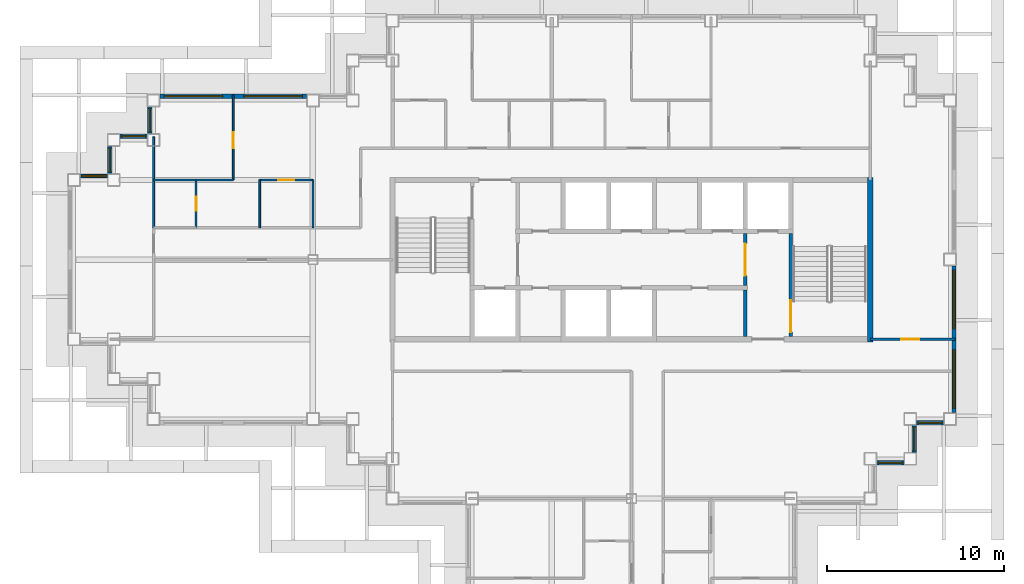
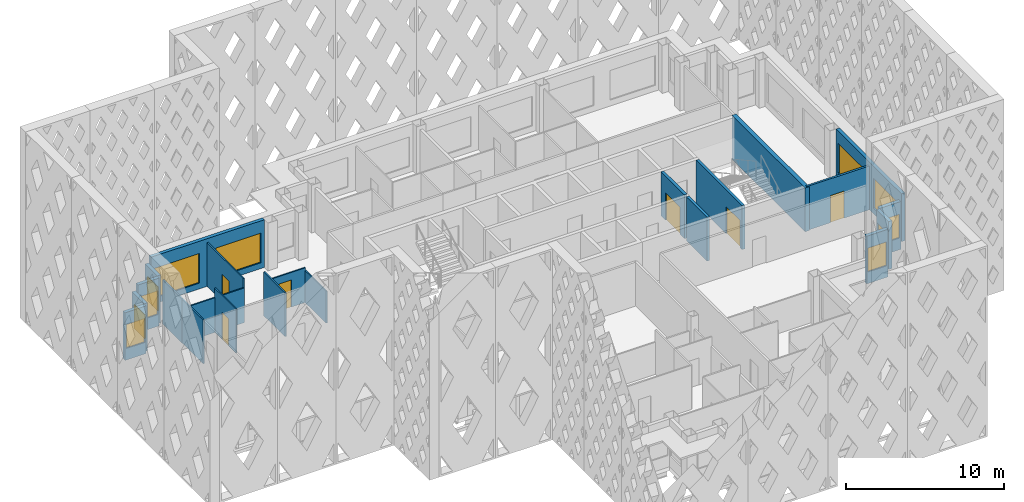
# One storey, part 5 of 16: 23 walls, 11 windows, 6 doors, 17 openings.
"""IFC4 building model written with IfcOpenShell, lengths in metres."""

import ifcopenshell
import ifcopenshell.guid

model = None  # the IFC model being written
_history = None  # IfcOwnerHistory: only IFC2X3 demands one
_inside = {}  # id of a spatial element -> (the spatial element, [elements in it])
_under = {}  # id of a project, library or spatial element -> (it, [spatial elements below it])
_declared = {}  # id of a project -> (the project, [libraries it declares])
_typed = {}  # id of a type object -> (the type object, [elements of that type])
_made_of = {}  # id of a material, layer set ... -> (it, [elements and type objects made of it])


def new_model(schema):
    """Start an empty IFC model of exactly this schema.

    Asked for "IFC4X3", IfcOpenShell would pick the latest addendum, in which some entities
    have other attributes; the version numbers below select the first issue.
    IFC2X3 requires an IfcOwnerHistory on every rooted entity: one is made here for all.
    """
    global model, _history
    if schema == "IFC4X3":
        model = ifcopenshell.file(schema_version=(4, 3, 0, 0))
    else:
        model = ifcopenshell.file(schema=schema)
    _inside.clear()
    _under.clear()
    _declared.clear()
    _typed.clear()
    _made_of.clear()
    _history = None
    if model.schema == "IFC2X3":
        org = make("IfcOrganization", Name="unknown")
        user = make(
            "IfcPersonAndOrganization",
            ThePerson=make("IfcPerson", FamilyName="unknown"),
            TheOrganization=org,
        )
        app = make(
            "IfcApplication",
            ApplicationDeveloper=org,
            Version="unknown",
            ApplicationFullName="unknown",
            ApplicationIdentifier="unknown",
        )
        _history = make(
            "IfcOwnerHistory",
            OwningUser=user,
            OwningApplication=app,
            ChangeAction="ADDED",
            CreationDate=0,
        )
    return model


def make(cls, **values):
    """One entity of the class cls with the attributes given. An attribute that is None is left unset."""
    return model.create_entity(
        cls, **{name: value for name, value in values.items() if value is not None}
    )


def rooted(cls, **values):
    """An entity with a GlobalId (a new one), such as an element, a storey or a relation."""
    return make(cls, GlobalId=ifcopenshell.guid.new(), OwnerHistory=_history, **values)


def si_unit(unit_type, name, prefix=None):
    """IfcSIUnit, for example si_unit("LENGTHUNIT", "METRE", prefix="MILLI")."""
    return make("IfcSIUnit", UnitType=unit_type, Prefix=prefix, Name=name)


def assignment(units):
    """IfcUnitAssignment: the units of a project."""
    return None if units is None else make("IfcUnitAssignment", Units=units)


def point(xyz):
    """IfcCartesianPoint."""
    return None if xyz is None else make("IfcCartesianPoint", Coordinates=xyz)


def direction(xyz):
    """IfcDirection."""
    return None if xyz is None else make("IfcDirection", DirectionRatios=xyz)


def frame(location, z_axis=None, x_axis=None):
    """IfcAxis2Placement3D, a coordinate frame: its origin and axes. An axis left out is left unset."""
    return make(
        "IfcAxis2Placement3D",
        Location=point(location),
        Axis=direction(z_axis),
        RefDirection=direction(x_axis),
    )


def frame_2d(location, x_axis=None):
    """IfcAxis2Placement2D, a coordinate frame in the plane: its origin and x axis."""
    return make(
        "IfcAxis2Placement2D", Location=point(location), RefDirection=direction(x_axis)
    )


def origin():
    """The frame at (0, 0, 0) with its axes left unset."""
    return frame((0.0, 0.0, 0.0))


def place(relative_to, where):
    """IfcLocalPlacement: puts the frame where relative to a parent placement (None: the world)."""
    return make(
        "IfcLocalPlacement", PlacementRelTo=relative_to, RelativePlacement=where
    )


def context(
    kind, dimensions, precision=None, world=None, true_north=None, identifier=None
):
    """IfcGeometricRepresentationContext, for example the 3D "Model" context."""
    return make(
        "IfcGeometricRepresentationContext",
        ContextIdentifier=identifier,
        ContextType=kind,
        CoordinateSpaceDimension=dimensions,
        Precision=precision,
        WorldCoordinateSystem=world,
        TrueNorth=true_north,
    )


def subcontext(parent, identifier, kind, view, scale=None):
    """IfcGeometricRepresentationSubContext, for example "Body" below "Model"."""
    return make(
        "IfcGeometricRepresentationSubContext",
        ContextIdentifier=identifier,
        ContextType=kind,
        ParentContext=parent,
        TargetScale=scale,
        TargetView=view,
    )


def project(units=None, contexts=None):
    """IfcProject with its units and contexts."""
    return rooted(
        "IfcProject",
        Name="project",
        RepresentationContexts=contexts,
        UnitsInContext=assignment(units),
    )


def spatial(cls, under=None, at=None, **own):
    """A site, building, storey or space (cls), placed at a placement, below another one or the project."""
    s = rooted(cls, ObjectPlacement=at, **own)
    if under is not None:
        _under.setdefault(under.id(), (under, []))[1].append(s)
    return s


def profile(cls, at=None, kind="AREA", **sizes):
    """A parametric profile (cls). Its sizes go by their IFC names, for example OverallWidth=200.0."""
    return make(cls, ProfileType=kind, Position=at, **sizes)


def rectangle(**sizes):
    """IfcRectangleProfileDef."""
    return profile("IfcRectangleProfileDef", **sizes)


def extrude(swept, where, along, depth):
    """IfcExtrudedAreaSolid: the profile swept, set in the frame where, extruded along a direction by depth."""
    return make(
        "IfcExtrudedAreaSolid",
        SweptArea=swept,
        Position=where,
        ExtrudedDirection=direction(along),
        Depth=depth,
    )


def shape(context_of_items, identifier, shape_type, items):
    """IfcShapeRepresentation: the items that make up one representation, for example the "Body"."""
    return make(
        "IfcShapeRepresentation",
        ContextOfItems=context_of_items,
        RepresentationIdentifier=identifier,
        RepresentationType=shape_type,
        Items=items,
    )


def material(Name=None, Category=None):
    """IfcMaterial."""
    return make("IfcMaterial", Name=Name, Category=Category)


def layer(
    of_material, thickness, ventilated=None, Name=None, Category=None, Priority=None
):
    """IfcMaterialLayer: one layer of a wall or slab, of a material (None: an air gap)."""
    return make(
        "IfcMaterialLayer",
        Material=of_material,
        LayerThickness=thickness,
        IsVentilated=ventilated,
        Name=Name,
        Category=Category,
        Priority=Priority,
    )


def layer_set(layers, Name=None):
    """IfcMaterialLayerSet."""
    return make("IfcMaterialLayerSet", MaterialLayers=layers, LayerSetName=Name)


def made_of(thing, what):
    """Note that an element or type object is made of a material, layer set ...; save() writes the relation."""
    if what is not None:
        _made_of.setdefault(what.id(), (what, []))[1].append(thing)
    return thing


def type_object(cls, material=None, **own):
    """A type object (cls), such as IfcWallType, which elements share."""
    return made_of(rooted(cls, **own), material)


def element(
    cls,
    number,
    at=None,
    inside=None,
    cuts=None,
    type_object=None,
    material=None,
    context=None,
    identifier="Body",
    shape_type=None,
    held_by="IfcProductDefinitionShape",
    body=None,
    shapes=None,
    **own,
):
    """One element of the class cls, such as IfcWall. Its Tag is "e" and its number.

    at: its placement. inside: the storey or other place that contains it. cuts: it is an
    opening in that element (IfcRelVoidsElement). A single representation is given by context,
    identifier, shape_type and body (its items); several are given by shapes. held_by: the class
    of the entity that holds the representations. save() writes the other relations.
    """
    e = rooted(cls, Tag="e%d" % number, ObjectPlacement=at, **own)
    if body is not None:
        shapes = [shape(context, identifier, shape_type, body)]
    if shapes is not None:
        e.Representation = make(held_by, Representations=shapes)
    if inside is not None:
        _inside.setdefault(inside.id(), (inside, []))[1].append(e)
    if cuts is not None:
        rooted(
            "IfcRelVoidsElement", RelatingBuildingElement=cuts, RelatedOpeningElement=e
        )
    if type_object is not None:
        _typed.setdefault(type_object.id(), (type_object, []))[1].append(e)
    return made_of(e, material)


def fill(opening, filler):
    """IfcRelFillsElement: the door or window that sits in an opening."""
    return rooted(
        "IfcRelFillsElement",
        RelatingOpeningElement=opening,
        RelatedBuildingElement=filler,
    )


def aggregate(whole, parts):
    """IfcRelAggregates: a whole, such as a stair, and the parts it consists of."""
    return rooted("IfcRelAggregates", RelatingObject=whole, RelatedObjects=parts)


def save(model, path):
    """Write the relations noted so far, then the file.

    IfcRelAggregates (storeys below a building ...), IfcRelContainedInSpatialStructure (elements
    in a storey), IfcRelDefinesByType, IfcRelAssociatesMaterial and IfcRelDeclares: one each for
    every whole, place, type object, material and project.
    """
    for whole, parts in _under.values():
        aggregate(whole, parts)
    for where, things in _inside.values():
        rooted(
            "IfcRelContainedInSpatialStructure",
            RelatedElements=things,
            RelatingStructure=where,
        )
    for kind, things in _typed.values():
        rooted("IfcRelDefinesByType", RelatedObjects=things, RelatingType=kind)
    for what, things in _made_of.values():
        rooted("IfcRelAssociatesMaterial", RelatedObjects=things, RelatingMaterial=what)
    for by, libraries in _declared.values():
        rooted("IfcRelDeclares", RelatingContext=by, RelatedDefinitions=libraries)
    model.write(path)


model = new_model("IFC4")

# Units and contexts
model_context = context("Model", 3, precision=1e-05, world=origin(), true_north=direction((0.0, 1.0)))
body_context = subcontext(model_context, "Body", "Model", "MODEL_VIEW")
ifc_project = project(units=[si_unit("LENGTHUNIT", "METRE"), si_unit("AREAUNIT", "SQUARE_METRE"), si_unit("VOLUMEUNIT", "CUBIC_METRE"), si_unit("PLANEANGLEUNIT", "RADIAN"), si_unit("MASSUNIT", "GRAM", prefix="KILO")], contexts=[model_context])

# Site, building, storey
site_placement = place(None, origin())
site = spatial("IfcSite", under=ifc_project, at=site_placement, CompositionType="ELEMENT")
building_placement = place(site_placement, origin())
building = spatial("IfcBuilding", under=site, at=building_placement, Name="Caravel Reach Hotel and Residences", CompositionType="ELEMENT")
storey_placement = place(building_placement, frame((0.0, 0.0, 207.199951171875)))
storey = spatial("IfcBuildingStorey", under=building, at=storey_placement, Name="L52", CompositionType="ELEMENT", Elevation=207.199951171875)

# Walls
ifc_material_1 = material(Name="Gypsum board on steel stud", Category="steel")
ifc_layer_1 = layer(ifc_material_1, 0.10009765625)
ifc_layer_set_1 = layer_set([ifc_layer_1], Name="Bathroom pod wall 100 mm")
wall_type_1 = type_object("IfcWallType", Name="Bathroom pod wall 100 mm", PredefinedType="PARTITIONING", material=ifc_layer_set_1)
wall_1_placement = place(storey_placement, frame((4.5, 31.5, 0.0), z_axis=(0.0, 0.0, 1.0), x_axis=(1.0, 0.0, 0.0)))
element("IfcWall", 1, at=wall_1_placement, inside=storey, type_object=wall_type_1, Name="L52 wall w067", PredefinedType="PARTITIONING", context=body_context, shape_type="SweptSolid", body=[
    extrude(rectangle(XDim=2.39990234375, YDim=0.10009765625, at=frame_2d((1.199951171875, 0.0))), origin(), (0.0, 0.0, 1.0), 2.679931640625),
])
wall_2_placement = place(storey_placement, frame((4.5, 28.800048828125, 0.0), z_axis=(0.0, 0.0, 1.0), x_axis=(0.0, 1.0, 0.0)))
element("IfcWall", 2, at=wall_2_placement, inside=storey, type_object=wall_type_1, Name="L52 wall w082", PredefinedType="PARTITIONING", context=body_context, shape_type="SweptSolid", body=[
    extrude(rectangle(XDim=2.699951171875, YDim=0.10009765625, at=frame_2d((1.35009765625, 0.0))), origin(), (0.0, 0.0, 1.0), 3.400146484375),
])

# Wall, opening, door
wall_3_placement = place(storey_placement, frame((6.89990234375, 28.800048828125, 0.0), z_axis=(0.0, 0.0, 1.0), x_axis=(0.0, 1.0, 0.0)))
wall_3 = element("IfcWall", 3, at=wall_3_placement, inside=storey, type_object=wall_type_1, Name="L52 wall w083", PredefinedType="PARTITIONING", context=body_context, shape_type="SweptSolid", body=[
    extrude(rectangle(XDim=2.699951171875, YDim=0.10009765625, at=frame_2d((1.35009765625, 0.0))), origin(), (0.0, 0.0, 1.0), 3.400146484375),
])
opening_1_placement = place(wall_3_placement, frame((0.949951171875, 0.0, 0.0)))
opening_1 = element("IfcOpeningElement", 4, at=opening_1_placement, cuts=wall_3, Name="Opening D52-026", PredefinedType="OPENING", context=body_context, shape_type="SweptSolid", body=[
    extrude(rectangle(XDim=0.800048828125, YDim=2.10009765625, at=frame_2d((0.39990234375, 1.050048828125))), frame((0.0, 0.06005859375, 0.0), z_axis=(0.0, -1.0, 0.0), x_axis=(1.0, 0.0, 0.0)), (0.0, 0.0, 1.0), 0.1201171875),
])
ifc_material_2 = material(Name="Timber and steel door leaf", Category="steel")
door_type_1 = type_object("IfcDoorType", Name="Bathroom door 800 x 2100", OperationType="SINGLE_SWING_LEFT", PredefinedType="DOOR", material=ifc_material_2)
door_1_placement = place(opening_1_placement, origin())
door_1 = element("IfcDoor", 5, at=door_1_placement, inside=storey, type_object=door_type_1, Name="door D52-026", OperationType="SINGLE_SWING_RIGHT", OverallHeight=2.10009765625, OverallWidth=0.800048828125, PredefinedType="DOOR", context=body_context, shape_type="SweptSolid", body=[
    extrude(rectangle(XDim=0.800048828125, YDim=2.10009765625, at=frame_2d((0.39990234375, 1.050048828125))), frame((0.0, 0.02490234375, 0.0), z_axis=(0.0, -1.0, 0.0), x_axis=(1.0, 0.0, 0.0)), (0.0, 0.0, 1.0), 0.050048828125),
])
fill(opening_1, door_1)

# Walls
ifc_material_3 = material(Name="Autoclaved aerated block wall")
ifc_layer_2 = layer(ifc_material_3, 0.199951171875)
ifc_layer_set_2 = layer_set([ifc_layer_2], Name="Compartment wall 200 mm EI 120")
wall_type_2 = type_object("IfcWallType", Name="Compartment wall 200 mm EI 120", PredefinedType="PARTITIONING", material=ifc_layer_set_2)
wall_4_placement = place(storey_placement, frame((37.928466796875, 22.64990234375, 0.0), z_axis=(0.0, 0.0, 1.0), x_axis=(0.0, 1.0, 0.0)))
element("IfcWall", 6, at=wall_4_placement, inside=storey, type_object=wall_type_2, Name="L52 store partition", PredefinedType="PARTITIONING", context=body_context, shape_type="SweptSolid", body=[
    extrude(rectangle(XDim=2.625, YDim=0.199951171875, at=frame_2d((1.3125, 0.0))), origin(), (0.0, 0.0, 1.0), 3.400146484375),
])
ifc_material_4 = material(Name="Concrete C60", Category="concrete")
ifc_layer_3 = layer(ifc_material_4, 0.300048828125)
ifc_layer_set_3 = layer_set([ifc_layer_3], Name="Core wall 300 mm EI 120")
wall_type_3 = type_object("IfcWallType", Name="Core wall 300 mm EI 120", PredefinedType="SHEAR", material=ifc_layer_set_3)
wall_5_placement = place(storey_placement, frame((45.0, 22.35009765625, 0.0), z_axis=(0.0, 0.0, 1.0), x_axis=(0.0, 1.0, 0.0)))
element("IfcWall", 7, at=wall_5_placement, inside=storey, type_object=wall_type_3, Name="L52 core wall E", PredefinedType="SHEAR", context=body_context, shape_type="SweptSolid", body=[
    extrude(rectangle(XDim=9.2998046875, YDim=0.300048828125, at=frame_2d((4.64990234375, 0.0))), origin(), (0.0, 0.0, 1.0), 3.400146484375),
])

# Wall, opening, door
ifc_material_5 = material(Name="Gypsum board on steel stud, fire-rated", Category="steel")
ifc_layer_4 = layer(ifc_material_5, 0.14990234375)
ifc_layer_set_4 = layer_set([ifc_layer_4], Name="Corridor wall 150 mm EI 60")
wall_type_4 = type_object("IfcWallType", Name="Corridor wall 150 mm EI 60", PredefinedType="PARTITIONING", material=ifc_layer_set_4)
wall_6_placement = place(storey_placement, frame((45.0, 22.5, 0.0), z_axis=(0.0, 0.0, 1.0), x_axis=(1.0, 0.0, 0.0)))
wall_6 = element("IfcWall", 8, at=wall_6_placement, inside=storey, type_object=wall_type_4, Name="L52 wall w005", PredefinedType="PARTITIONING", context=body_context, shape_type="SweptSolid", body=[
    extrude(rectangle(XDim=4.7900390625, YDim=0.14990234375, at=frame_2d((2.39501953125, 0.0))), origin(), (0.0, 0.0, 1.0), 3.400146484375),
])
opening_2_placement = place(wall_6_placement, frame((1.75, 0.0, 0.0)))
opening_2 = element("IfcOpeningElement", 9, at=opening_2_placement, cuts=wall_6, Name="Opening D52-041", PredefinedType="OPENING", context=body_context, shape_type="SweptSolid", body=[
    extrude(rectangle(XDim=1.0, YDim=2.10009765625, at=frame_2d((0.5, 1.050048828125))), frame((0.0, 0.0849609375, 0.0), z_axis=(0.0, -1.0, 0.0), x_axis=(1.0, 0.0, 0.0)), (0.0, 0.0, 1.0), 0.169921875),
])
ifc_material_6 = material(Name="Steel fire door leaf", Category="steel")
door_type_2 = type_object("IfcDoorType", Name="Fire door 1000 x 2100 EI 60", OperationType="SINGLE_SWING_LEFT", PredefinedType="DOOR", material=ifc_material_6)
door_2_placement = place(opening_2_placement, origin())
door_2 = element("IfcDoor", 10, at=door_2_placement, inside=storey, type_object=door_type_2, Name="door D52-041", OperationType="SINGLE_SWING_LEFT", OverallHeight=2.10009765625, OverallWidth=1.0, PredefinedType="DOOR", context=body_context, shape_type="SweptSolid", body=[
    extrude(rectangle(XDim=1.0, YDim=2.10009765625, at=frame_2d((0.5, 1.050048828125))), frame((0.0, 0.02490234375, 0.0), z_axis=(0.0, -1.0, 0.0), x_axis=(1.0, 0.0, 0.0)), (0.0, 0.0, 1.0), 0.050048828125),
])
fill(opening_2, door_2)

# Wall, opening, window
ifc_material_7 = material(Name="Insulated rainscreen wall, aluminium cladding", Category="aluminium")
ifc_layer_5 = layer(ifc_material_7, 0.25)
ifc_layer_set_5 = layer_set([ifc_layer_5], Name="EW1 Tower rainscreen wall")
wall_type_5 = type_object("IfcWallType", Name="EW1 Tower rainscreen wall", PredefinedType="SOLIDWALL", material=ifc_layer_set_5)
wall_7_placement = place(storey_placement, frame((45.35009765625, 15.52490234375, 0.0), z_axis=(0.0, 0.0, 1.0), x_axis=(1.0, 0.0, 0.0)))
wall_7 = element("IfcWall", 11, at=wall_7_placement, inside=storey, type_object=wall_type_5, Name="External wall L52 S3.1", PredefinedType="SOLIDWALL", context=body_context, shape_type="SweptSolid", body=[
    extrude(rectangle(XDim=1.5498046875, YDim=0.25, at=frame_2d((0.77490234375, 0.0))), origin(), (0.0, 0.0, 1.0), 3.699951171875),
])
opening_3_placement = place(wall_7_placement, frame((0.10009765625, 0.0, 0.89990234375)))
opening_3 = element("IfcOpeningElement", 12, at=opening_3_placement, cuts=wall_7, Name="Opening WN21", PredefinedType="OPENING", context=body_context, shape_type="SweptSolid", body=[
    extrude(rectangle(XDim=1.35009765625, YDim=1.85009765625, at=frame_2d((0.675048828125, 0.925048828125))), frame((0.0, 0.135009765625, 0.0), z_axis=(0.0, -1.0, 0.0), x_axis=(1.0, 0.0, 0.0)), (0.0, 0.0, 1.0), 0.27001953125),
])
ifc_material_8 = material(Name="Dark low-e glazing in black aluminium frame", Category="aluminium")
window_type_1 = type_object("IfcWindowType", Name="Residence bedroom window 1350 x 1850", PartitioningType="SINGLE_PANEL", PredefinedType="WINDOW", material=ifc_material_8)
window_1_placement = place(opening_3_placement, origin())
window_1 = element("IfcWindow", 13, at=window_1_placement, inside=storey, type_object=window_type_1, Name="Window L52 S3.1.1", OverallHeight=1.85009765625, OverallWidth=1.35009765625, PartitioningType="SINGLE_PANEL", PredefinedType="WINDOW", context=body_context, shape_type="SweptSolid", body=[
    extrude(rectangle(XDim=1.35009765625, YDim=1.85009765625, at=frame_2d((0.675048828125, 0.925048828125))), frame((0.0, 0.030029296875, 0.0), z_axis=(0.0, -1.0, 0.0), x_axis=(1.0, 0.0, 0.0)), (0.0, 0.0, 1.0), 0.06005859375),
])
fill(opening_3, window_1)

wall_8_placement = place(storey_placement, frame((47.47509765625, 16.10009765625, 0.0), z_axis=(0.0, 0.0, 1.0), x_axis=(0.0, 1.0, 0.0)))
wall_8 = element("IfcWall", 14, at=wall_8_placement, inside=storey, type_object=wall_type_5, Name="External wall L52 E4.1", PredefinedType="SOLIDWALL", context=body_context, shape_type="SweptSolid", body=[
    extrude(rectangle(XDim=1.5498046875, YDim=0.25, at=frame_2d((0.77490234375, 0.0))), origin(), (0.0, 0.0, 1.0), 3.699951171875),
])
opening_4_placement = place(wall_8_placement, frame((0.10009765625, 0.0, 0.89990234375)))
opening_4 = element("IfcOpeningElement", 15, at=opening_4_placement, cuts=wall_8, Name="Opening WN21", PredefinedType="OPENING", context=body_context, shape_type="SweptSolid", body=[
    extrude(rectangle(XDim=1.35009765625, YDim=1.85009765625, at=frame_2d((0.675048828125, 0.925048828125))), frame((0.0, 0.135009765625, 0.0), z_axis=(0.0, -1.0, 0.0), x_axis=(1.0, 0.0, 0.0)), (0.0, 0.0, 1.0), 0.27001953125),
])
window_2_placement = place(opening_4_placement, origin())
window_2 = element("IfcWindow", 16, at=window_2_placement, inside=storey, type_object=window_type_1, Name="Window L52 E4.1.1", OverallHeight=1.85009765625, OverallWidth=1.35009765625, PartitioningType="SINGLE_PANEL", PredefinedType="WINDOW", context=body_context, shape_type="SweptSolid", body=[
    extrude(rectangle(XDim=1.35009765625, YDim=1.85009765625, at=frame_2d((0.675048828125, 0.925048828125))), frame((0.0, 0.030029296875, 0.0), z_axis=(0.0, -1.0, 0.0), x_axis=(1.0, 0.0, 0.0)), (0.0, 0.0, 1.0), 0.06005859375),
])
fill(opening_4, window_2)

wall_9_placement = place(storey_placement, frame((47.60009765625, 17.77490234375, 0.0), z_axis=(0.0, 0.0, 1.0), x_axis=(1.0, 0.0, 0.0)))
wall_9 = element("IfcWall", 17, at=wall_9_placement, inside=storey, type_object=wall_type_5, Name="External wall L52 S5.1", PredefinedType="SOLIDWALL", context=body_context, shape_type="SweptSolid", body=[
    extrude(rectangle(XDim=1.5498046875, YDim=0.25, at=frame_2d((0.77490234375, 0.0))), origin(), (0.0, 0.0, 1.0), 3.699951171875),
])
opening_5_placement = place(wall_9_placement, frame((0.10009765625, 0.0, 0.89990234375)))
opening_5 = element("IfcOpeningElement", 18, at=opening_5_placement, cuts=wall_9, Name="Opening WN21", PredefinedType="OPENING", context=body_context, shape_type="SweptSolid", body=[
    extrude(rectangle(XDim=1.35009765625, YDim=1.85009765625, at=frame_2d((0.675048828125, 0.925048828125))), frame((0.0, 0.135009765625, 0.0), z_axis=(0.0, -1.0, 0.0), x_axis=(1.0, 0.0, 0.0)), (0.0, 0.0, 1.0), 0.27001953125),
])
window_3_placement = place(opening_5_placement, origin())
window_3 = element("IfcWindow", 19, at=window_3_placement, inside=storey, type_object=window_type_1, Name="Window L52 S5.1.1", OverallHeight=1.85009765625, OverallWidth=1.35009765625, PartitioningType="SINGLE_PANEL", PredefinedType="WINDOW", context=body_context, shape_type="SweptSolid", body=[
    extrude(rectangle(XDim=1.35009765625, YDim=1.85009765625, at=frame_2d((0.675048828125, 0.925048828125))), frame((0.0, 0.030029296875, 0.0), z_axis=(0.0, -1.0, 0.0), x_axis=(1.0, 0.0, 0.0)), (0.0, 0.0, 1.0), 0.06005859375),
])
fill(opening_5, window_3)

# Wall, openings, windows
wall_10_placement = place(storey_placement, frame((49.72509765625, 18.35009765625, 0.0), z_axis=(0.0, 0.0, 1.0), x_axis=(0.0, 1.0, 0.0)))
wall_10 = element("IfcWall", 20, at=wall_10_placement, inside=storey, type_object=wall_type_5, Name="External wall L52 E6.1", PredefinedType="SOLIDWALL", context=body_context, shape_type="SweptSolid", body=[
    extrude(rectangle(XDim=8.2998046875, YDim=0.25, at=frame_2d((4.14990234375, 0.0))), origin(), (0.0, 0.0, 1.0), 3.699951171875),
])
opening_6_placement = place(wall_10_placement, frame((0.25, 0.0, 0.449951171875)))
opening_6 = element("IfcOpeningElement", 21, at=opening_6_placement, cuts=wall_10, Name="Opening WN15", PredefinedType="OPENING", context=body_context, shape_type="SweptSolid", body=[
    extrude(rectangle(XDim=3.300048828125, YDim=2.300048828125, at=frame_2d((1.64990234375, 1.14990234375))), frame((0.0, 0.135009765625, 0.0), z_axis=(0.0, -1.0, 0.0), x_axis=(1.0, 0.0, 0.0)), (0.0, 0.0, 1.0), 0.27001953125),
])
opening_7_placement = place(wall_10_placement, frame((4.75, 0.0, 0.449951171875)))
opening_7 = element("IfcOpeningElement", 22, at=opening_7_placement, cuts=wall_10, Name="Opening WN15", PredefinedType="OPENING", context=body_context, shape_type="SweptSolid", body=[
    extrude(rectangle(XDim=3.300048828125, YDim=2.300048828125, at=frame_2d((1.64990234375, 1.14990234375))), frame((0.0, 0.135009765625, 0.0), z_axis=(0.0, -1.0, 0.0), x_axis=(1.0, 0.0, 0.0)), (0.0, 0.0, 1.0), 0.27001953125),
])
ifc_material_9 = material(Name="Dark low-e glazing in black aluminium frame", Category="aluminium")
window_type_2 = type_object("IfcWindowType", Name="Residence living window 3300 x 2300", PartitioningType="SINGLE_PANEL", PredefinedType="WINDOW", material=ifc_material_9)
window_4_placement = place(opening_6_placement, origin())
window_4 = element("IfcWindow", 23, at=window_4_placement, inside=storey, type_object=window_type_2, Name="Window L52 E6.1.1", OverallHeight=2.300048828125, OverallWidth=3.300048828125, PartitioningType="SINGLE_PANEL", PredefinedType="WINDOW", context=body_context, shape_type="SweptSolid", body=[
    extrude(rectangle(XDim=3.300048828125, YDim=2.300048828125, at=frame_2d((1.64990234375, 1.14990234375))), frame((0.0, 0.030029296875, 0.0), z_axis=(0.0, -1.0, 0.0), x_axis=(1.0, 0.0, 0.0)), (0.0, 0.0, 1.0), 0.06005859375),
])
fill(opening_6, window_4)
window_5_placement = place(opening_7_placement, origin())
window_5 = element("IfcWindow", 24, at=window_5_placement, inside=storey, type_object=window_type_2, Name="Window L52 E6.1.2", OverallHeight=2.300048828125, OverallWidth=3.300048828125, PartitioningType="SINGLE_PANEL", PredefinedType="WINDOW", context=body_context, shape_type="SweptSolid", body=[
    extrude(rectangle(XDim=3.300048828125, YDim=2.300048828125, at=frame_2d((1.64990234375, 1.14990234375))), frame((0.0, 0.030029296875, 0.0), z_axis=(0.0, -1.0, 0.0), x_axis=(1.0, 0.0, 0.0)), (0.0, 0.0, 1.0), 0.06005859375),
])
fill(opening_7, window_5)

wall_11_placement = place(storey_placement, frame((13.14990234375, 36.22509765625, 0.0), z_axis=(0.0, 0.0, 1.0), x_axis=(-1.0, 0.0, 0.0)))
wall_11 = element("IfcWall", 25, at=wall_11_placement, inside=storey, type_object=wall_type_5, Name="External wall L52 N15.2", PredefinedType="SOLIDWALL", context=body_context, shape_type="SweptSolid", body=[
    extrude(rectangle(XDim=8.2998046875, YDim=0.25, at=frame_2d((4.14990234375, 0.0))), origin(), (0.0, 0.0, 1.0), 3.699951171875),
])
opening_8_placement = place(wall_11_placement, frame((0.25, 0.0, 0.449951171875)))
opening_8 = element("IfcOpeningElement", 26, at=opening_8_placement, cuts=wall_11, Name="Opening WN15", PredefinedType="OPENING", context=body_context, shape_type="SweptSolid", body=[
    extrude(rectangle(XDim=3.300048828125, YDim=2.300048828125, at=frame_2d((1.64990234375, 1.14990234375))), frame((0.0, 0.135009765625, 0.0), z_axis=(0.0, -1.0, 0.0), x_axis=(1.0, 0.0, 0.0)), (0.0, 0.0, 1.0), 0.27001953125),
])
opening_9_placement = place(wall_11_placement, frame((4.75, 0.0, 0.449951171875)))
opening_9 = element("IfcOpeningElement", 27, at=opening_9_placement, cuts=wall_11, Name="Opening WN15", PredefinedType="OPENING", context=body_context, shape_type="SweptSolid", body=[
    extrude(rectangle(XDim=3.300048828125, YDim=2.300048828125, at=frame_2d((1.64990234375, 1.14990234375))), frame((0.0, 0.135009765625, 0.0), z_axis=(0.0, -1.0, 0.0), x_axis=(1.0, 0.0, 0.0)), (0.0, 0.0, 1.0), 0.27001953125),
])
window_6_placement = place(opening_8_placement, origin())
window_6 = element("IfcWindow", 28, at=window_6_placement, inside=storey, type_object=window_type_2, Name="Window L52 N15.2.1", OverallHeight=2.300048828125, OverallWidth=3.300048828125, PartitioningType="SINGLE_PANEL", PredefinedType="WINDOW", context=body_context, shape_type="SweptSolid", body=[
    extrude(rectangle(XDim=3.300048828125, YDim=2.300048828125, at=frame_2d((1.64990234375, 1.14990234375))), frame((0.0, 0.030029296875, 0.0), z_axis=(0.0, -1.0, 0.0), x_axis=(1.0, 0.0, 0.0)), (0.0, 0.0, 1.0), 0.06005859375),
])
fill(opening_8, window_6)
window_7_placement = place(opening_9_placement, origin())
window_7 = element("IfcWindow", 29, at=window_7_placement, inside=storey, type_object=window_type_2, Name="Window L52 N15.2.2", OverallHeight=2.300048828125, OverallWidth=3.300048828125, PartitioningType="SINGLE_PANEL", PredefinedType="WINDOW", context=body_context, shape_type="SweptSolid", body=[
    extrude(rectangle(XDim=3.300048828125, YDim=2.300048828125, at=frame_2d((1.64990234375, 1.14990234375))), frame((0.0, 0.030029296875, 0.0), z_axis=(0.0, -1.0, 0.0), x_axis=(1.0, 0.0, 0.0)), (0.0, 0.0, 1.0), 0.06005859375),
])
fill(opening_9, window_7)

# Wall, opening, window
wall_12_placement = place(storey_placement, frame((4.27490234375, 35.64990234375, 0.0), z_axis=(0.0, 0.0, 1.0), x_axis=(0.0, -1.0, 0.0)))
wall_12 = element("IfcWall", 30, at=wall_12_placement, inside=storey, type_object=wall_type_5, Name="External wall L52 W16.1", PredefinedType="SOLIDWALL", context=body_context, shape_type="SweptSolid", body=[
    extrude(rectangle(XDim=1.5498046875, YDim=0.25, at=frame_2d((0.77490234375, 0.0))), origin(), (0.0, 0.0, 1.0), 3.699951171875),
])
opening_10_placement = place(wall_12_placement, frame((0.10009765625, 0.0, 0.89990234375)))
opening_10 = element("IfcOpeningElement", 31, at=opening_10_placement, cuts=wall_12, Name="Opening WN21", PredefinedType="OPENING", context=body_context, shape_type="SweptSolid", body=[
    extrude(rectangle(XDim=1.35009765625, YDim=1.85009765625, at=frame_2d((0.675048828125, 0.925048828125))), frame((0.0, 0.135009765625, 0.0), z_axis=(0.0, -1.0, 0.0), x_axis=(1.0, 0.0, 0.0)), (0.0, 0.0, 1.0), 0.27001953125),
])
window_8_placement = place(opening_10_placement, origin())
window_8 = element("IfcWindow", 32, at=window_8_placement, inside=storey, type_object=window_type_1, Name="Window L52 W16.1.1", OverallHeight=1.85009765625, OverallWidth=1.35009765625, PartitioningType="SINGLE_PANEL", PredefinedType="WINDOW", context=body_context, shape_type="SweptSolid", body=[
    extrude(rectangle(XDim=1.35009765625, YDim=1.85009765625, at=frame_2d((0.675048828125, 0.925048828125))), frame((0.0, 0.030029296875, 0.0), z_axis=(0.0, -1.0, 0.0), x_axis=(1.0, 0.0, 0.0)), (0.0, 0.0, 1.0), 0.06005859375),
])
fill(opening_10, window_8)

wall_13_placement = place(storey_placement, frame((4.14990234375, 33.97509765625, 0.0), z_axis=(0.0, 0.0, 1.0), x_axis=(-1.0, 0.0, 0.0)))
wall_13 = element("IfcWall", 33, at=wall_13_placement, inside=storey, type_object=wall_type_5, Name="External wall L52 N17.1", PredefinedType="SOLIDWALL", context=body_context, shape_type="SweptSolid", body=[
    extrude(rectangle(XDim=1.5498046875, YDim=0.25, at=frame_2d((0.77490234375, 0.0))), origin(), (0.0, 0.0, 1.0), 3.699951171875),
])
opening_11_placement = place(wall_13_placement, frame((0.10009765625, 0.0, 0.89990234375)))
opening_11 = element("IfcOpeningElement", 34, at=opening_11_placement, cuts=wall_13, Name="Opening WN21", PredefinedType="OPENING", context=body_context, shape_type="SweptSolid", body=[
    extrude(rectangle(XDim=1.35009765625, YDim=1.85009765625, at=frame_2d((0.675048828125, 0.925048828125))), frame((0.0, 0.135009765625, 0.0), z_axis=(0.0, -1.0, 0.0), x_axis=(1.0, 0.0, 0.0)), (0.0, 0.0, 1.0), 0.27001953125),
])
window_9_placement = place(opening_11_placement, origin())
window_9 = element("IfcWindow", 35, at=window_9_placement, inside=storey, type_object=window_type_1, Name="Window L52 N17.1.1", OverallHeight=1.85009765625, OverallWidth=1.35009765625, PartitioningType="SINGLE_PANEL", PredefinedType="WINDOW", context=body_context, shape_type="SweptSolid", body=[
    extrude(rectangle(XDim=1.35009765625, YDim=1.85009765625, at=frame_2d((0.675048828125, 0.925048828125))), frame((0.0, 0.030029296875, 0.0), z_axis=(0.0, -1.0, 0.0), x_axis=(1.0, 0.0, 0.0)), (0.0, 0.0, 1.0), 0.06005859375),
])
fill(opening_11, window_9)

wall_14_placement = place(storey_placement, frame((2.02490234375, 33.39990234375, 0.0), z_axis=(0.0, 0.0, 1.0), x_axis=(0.0, -1.0, 0.0)))
wall_14 = element("IfcWall", 36, at=wall_14_placement, inside=storey, type_object=wall_type_5, Name="External wall L52 W18.1", PredefinedType="SOLIDWALL", context=body_context, shape_type="SweptSolid", body=[
    extrude(rectangle(XDim=1.5498046875, YDim=0.25, at=frame_2d((0.77490234375, 0.0))), origin(), (0.0, 0.0, 1.0), 3.699951171875),
])
opening_12_placement = place(wall_14_placement, frame((0.10009765625, 0.0, 0.89990234375)))
opening_12 = element("IfcOpeningElement", 37, at=opening_12_placement, cuts=wall_14, Name="Opening WN21", PredefinedType="OPENING", context=body_context, shape_type="SweptSolid", body=[
    extrude(rectangle(XDim=1.35009765625, YDim=1.85009765625, at=frame_2d((0.675048828125, 0.925048828125))), frame((0.0, 0.135009765625, 0.0), z_axis=(0.0, -1.0, 0.0), x_axis=(1.0, 0.0, 0.0)), (0.0, 0.0, 1.0), 0.27001953125),
])
window_10_placement = place(opening_12_placement, origin())
window_10 = element("IfcWindow", 38, at=window_10_placement, inside=storey, type_object=window_type_1, Name="Window L52 W18.1.1", OverallHeight=1.85009765625, OverallWidth=1.35009765625, PartitioningType="SINGLE_PANEL", PredefinedType="WINDOW", context=body_context, shape_type="SweptSolid", body=[
    extrude(rectangle(XDim=1.35009765625, YDim=1.85009765625, at=frame_2d((0.675048828125, 0.925048828125))), frame((0.0, 0.030029296875, 0.0), z_axis=(0.0, -1.0, 0.0), x_axis=(1.0, 0.0, 0.0)), (0.0, 0.0, 1.0), 0.06005859375),
])
fill(opening_12, window_10)

wall_15_placement = place(storey_placement, frame((1.89990234375, 31.72509765625, 0.0), z_axis=(0.0, 0.0, 1.0), x_axis=(-1.0, 0.0, 0.0)))
wall_15 = element("IfcWall", 39, at=wall_15_placement, inside=storey, type_object=wall_type_5, Name="External wall L52 N19.1", PredefinedType="SOLIDWALL", context=body_context, shape_type="SweptSolid", body=[
    extrude(rectangle(XDim=1.5498046875, YDim=0.25, at=frame_2d((0.77490234375, 0.0))), origin(), (0.0, 0.0, 1.0), 3.699951171875),
])
opening_13_placement = place(wall_15_placement, frame((0.10009765625, 0.0, 0.89990234375)))
opening_13 = element("IfcOpeningElement", 40, at=opening_13_placement, cuts=wall_15, Name="Opening WN21", PredefinedType="OPENING", context=body_context, shape_type="SweptSolid", body=[
    extrude(rectangle(XDim=1.35009765625, YDim=1.85009765625, at=frame_2d((0.675048828125, 0.925048828125))), frame((0.0, 0.135009765625, 0.0), z_axis=(0.0, -1.0, 0.0), x_axis=(1.0, 0.0, 0.0)), (0.0, 0.0, 1.0), 0.27001953125),
])
window_11_placement = place(opening_13_placement, origin())
window_11 = element("IfcWindow", 41, at=window_11_placement, inside=storey, type_object=window_type_1, Name="Window L52 N19.1.1", OverallHeight=1.85009765625, OverallWidth=1.35009765625, PartitioningType="SINGLE_PANEL", PredefinedType="WINDOW", context=body_context, shape_type="SweptSolid", body=[
    extrude(rectangle(XDim=1.35009765625, YDim=1.85009765625, at=frame_2d((0.675048828125, 0.925048828125))), frame((0.0, 0.030029296875, 0.0), z_axis=(0.0, -1.0, 0.0), x_axis=(1.0, 0.0, 0.0)), (0.0, 0.0, 1.0), 0.06005859375),
])
fill(opening_13, window_11)

# Wall, opening, door
ifc_material_10 = material(Name="Autoclaved aerated block wall")
ifc_layer_6 = layer(ifc_material_10, 0.199951171875)
ifc_layer_set_6 = layer_set([ifc_layer_6], Name="Fire lobby wall 200 mm EI 120")
wall_type_6 = type_object("IfcWallType", Name="Fire lobby wall 200 mm EI 120", PredefinedType="PARTITIONING", material=ifc_layer_set_6)
wall_16_placement = place(storey_placement, frame((37.928466796875, 25.52490234375, 0.0), z_axis=(0.0, 0.0, 1.0), x_axis=(0.0, 1.0, 0.0)))
wall_16 = element("IfcWall", 42, at=wall_16_placement, inside=storey, type_object=wall_type_6, Name="L52 lobby E wall", PredefinedType="PARTITIONING", context=body_context, shape_type="SweptSolid", body=[
    extrude(rectangle(XDim=2.9501953125, YDim=0.199951171875, at=frame_2d((1.47509765625, 0.0))), origin(), (0.0, 0.0, 1.0), 3.400146484375),
])
opening_14_placement = place(wall_16_placement, frame((0.574951171875, 0.0, 0.0)))
opening_14 = element("IfcOpeningElement", 43, at=opening_14_placement, cuts=wall_16, Name="Opening D52-013", PredefinedType="OPENING", context=body_context, shape_type="SweptSolid", body=[
    extrude(rectangle(XDim=1.800048828125, YDim=2.10009765625, at=frame_2d((0.89990234375, 1.050048828125))), frame((0.0, 0.10986328125, 0.0), z_axis=(0.0, -1.0, 0.0), x_axis=(1.0, 0.0, 0.0)), (0.0, 0.0, 1.0), 0.219970703125),
])
ifc_material_11 = material(Name="Steel fire door leaf", Category="steel")
door_type_3 = type_object("IfcDoorType", Name="Fire lobby door pair 1800 x 2100 EI 90", OperationType="DOUBLE_DOOR_SINGLE_SWING", PredefinedType="DOOR", material=ifc_material_11)
door_3_placement = place(opening_14_placement, origin())
door_3 = element("IfcDoor", 44, at=door_3_placement, inside=storey, type_object=door_type_3, Name="lobby E door pair", OperationType="DOUBLE_DOOR_SINGLE_SWING", OverallHeight=2.10009765625, OverallWidth=1.800048828125, PredefinedType="DOOR", context=body_context, shape_type="SweptSolid", body=[
    extrude(rectangle(XDim=1.800048828125, YDim=2.10009765625, at=frame_2d((0.89990234375, 1.050048828125))), frame((0.0, 0.02490234375, 0.0), z_axis=(0.0, -1.0, 0.0), x_axis=(1.0, 0.0, 0.0)), (0.0, 0.0, 1.0), 0.050048828125),
])
fill(opening_14, door_3)

# Wall
ifc_material_12 = material(Name="Gypsum board on steel stud", Category="steel")
ifc_layer_7 = layer(ifc_material_12, 0.10009765625)
ifc_layer_set_7 = layer_set([ifc_layer_7], Name="Partition 100 mm")
wall_type_7 = type_object("IfcWallType", Name="Partition 100 mm", PredefinedType="PARTITIONING", material=ifc_layer_set_7)
wall_17_placement = place(storey_placement, frame((6.89990234375, 31.5, 0.0), z_axis=(0.0, 0.0, 1.0), x_axis=(1.0, 0.0, 0.0)))
element("IfcWall", 45, at=wall_17_placement, inside=storey, type_object=wall_type_7, Name="L52 wall w032", PredefinedType="PARTITIONING", context=body_context, shape_type="SweptSolid", body=[
    extrude(rectangle(XDim=2.10009765625, YDim=0.10009765625, at=frame_2d((1.050048828125, 0.0))), origin(), (0.0, 0.0, 1.0), 2.679931640625),
])

# Wall, opening, door
wall_18_placement = place(storey_placement, frame((10.5, 31.5, 0.0), z_axis=(0.0, 0.0, 1.0), x_axis=(1.0, 0.0, 0.0)))
wall_18 = element("IfcWall", 46, at=wall_18_placement, inside=storey, type_object=wall_type_7, Name="L52 wall w033", PredefinedType="PARTITIONING", context=body_context, shape_type="SweptSolid", body=[
    extrude(rectangle(XDim=3.0, YDim=0.10009765625, at=frame_2d((1.5, 0.0))), origin(), (0.0, 0.0, 1.0), 2.679931640625),
])
opening_15_placement = place(wall_18_placement, frame((1.050048828125, 0.0, 0.0)))
opening_15 = element("IfcOpeningElement", 47, at=opening_15_placement, cuts=wall_18, Name="Opening D52-027", PredefinedType="OPENING", context=body_context, shape_type="SweptSolid", body=[
    extrude(rectangle(XDim=0.89990234375, YDim=2.10009765625, at=frame_2d((0.449951171875, 1.050048828125))), frame((0.0, 0.06005859375, 0.0), z_axis=(0.0, -1.0, 0.0), x_axis=(1.0, 0.0, 0.0)), (0.0, 0.0, 1.0), 0.1201171875),
])
ifc_material_13 = material(Name="Timber and steel door leaf", Category="steel")
door_type_4 = type_object("IfcDoorType", Name="Door 900 x 2100 timber", OperationType="SINGLE_SWING_LEFT", PredefinedType="DOOR", material=ifc_material_13)
door_4_placement = place(opening_15_placement, origin())
door_4 = element("IfcDoor", 48, at=door_4_placement, inside=storey, type_object=door_type_4, Name="door D52-027", OperationType="SINGLE_SWING_RIGHT", OverallHeight=2.10009765625, OverallWidth=0.89990234375, PredefinedType="DOOR", context=body_context, shape_type="SweptSolid", body=[
    extrude(rectangle(XDim=0.89990234375, YDim=2.10009765625, at=frame_2d((0.449951171875, 1.050048828125))), frame((0.0, 0.02490234375, 0.0), z_axis=(0.0, -1.0, 0.0), x_axis=(1.0, 0.0, 0.0)), (0.0, 0.0, 1.0), 0.050048828125),
])
fill(opening_15, door_4)

# Walls
wall_19_placement = place(storey_placement, frame((10.5, 28.800048828125, 0.0), z_axis=(0.0, 0.0, 1.0), x_axis=(0.0, 1.0, 0.0)))
element("IfcWall", 49, at=wall_19_placement, inside=storey, type_object=wall_type_7, Name="L52 wall w044", PredefinedType="PARTITIONING", context=body_context, shape_type="SweptSolid", body=[
    extrude(rectangle(XDim=2.699951171875, YDim=0.10009765625, at=frame_2d((1.35009765625, 0.0))), origin(), (0.0, 0.0, 1.0), 3.400146484375),
])
wall_20_placement = place(storey_placement, frame((13.5, 28.801025390625, 0.0), z_axis=(0.0, 0.0, 1.0), x_axis=(0.0, 1.0, 0.0)))
element("IfcWall", 50, at=wall_20_placement, inside=storey, type_object=wall_type_7, Name="L52 wall w045", PredefinedType="PARTITIONING", context=body_context, shape_type="SweptSolid", body=[
    extrude(rectangle(XDim=2.698974609375, YDim=0.10009765625, at=frame_2d((1.349609375, 0.0))), origin(), (0.0, 0.0, 1.0), 2.47998046875),
])
wall_21_placement = place(storey_placement, frame((4.5, 31.5009765625, 0.0), z_axis=(0.0, 0.0, 1.0), x_axis=(0.0, 1.0, 0.0)))
element("IfcWall", 51, at=wall_21_placement, inside=storey, type_object=wall_type_7, Name="L52 wall w057", PredefinedType="PARTITIONING", context=body_context, shape_type="SweptSolid", body=[
    extrude(rectangle(XDim=2.43896484375, YDim=0.10009765625, at=frame_2d((1.219482421875, 0.0))), origin(), (0.0, 0.0, 1.0), 3.400146484375),
])

# Wall, opening, door
wall_22_placement = place(storey_placement, frame((9.0, 31.5, 0.0), z_axis=(0.0, 0.0, 1.0), x_axis=(0.0, 1.0, 0.0)))
wall_22 = element("IfcWall", 52, at=wall_22_placement, inside=storey, type_object=wall_type_7, Name="L52 wall w060", PredefinedType="PARTITIONING", context=body_context, shape_type="SweptSolid", body=[
    extrude(rectangle(XDim=4.7900390625, YDim=0.10009765625, at=frame_2d((2.39501953125, 0.0))), origin(), (0.0, 0.0, 1.0), 3.400146484375),
])
opening_16_placement = place(wall_22_placement, frame((1.800048828125, 0.0, 0.0)))
opening_16 = element("IfcOpeningElement", 53, at=opening_16_placement, cuts=wall_22, Name="Opening D52-028", PredefinedType="OPENING", context=body_context, shape_type="SweptSolid", body=[
    extrude(rectangle(XDim=0.89990234375, YDim=2.10009765625, at=frame_2d((0.449951171875, 1.050048828125))), frame((0.0, 0.06005859375, 0.0), z_axis=(0.0, -1.0, 0.0), x_axis=(1.0, 0.0, 0.0)), (0.0, 0.0, 1.0), 0.1201171875),
])
door_5_placement = place(opening_16_placement, origin())
door_5 = element("IfcDoor", 54, at=door_5_placement, inside=storey, type_object=door_type_4, Name="door D52-028", OperationType="SINGLE_SWING_LEFT", OverallHeight=2.10009765625, OverallWidth=0.89990234375, PredefinedType="DOOR", context=body_context, shape_type="SweptSolid", body=[
    extrude(rectangle(XDim=0.89990234375, YDim=2.10009765625, at=frame_2d((0.449951171875, 1.050048828125))), frame((0.0, 0.02490234375, 0.0), z_axis=(0.0, -1.0, 0.0), x_axis=(1.0, 0.0, 0.0)), (0.0, 0.0, 1.0), 0.050048828125),
])
fill(opening_16, door_5)

ifc_material_14 = material(Name="Concrete C60", Category="concrete")
ifc_layer_8 = layer(ifc_material_14, 0.199951171875)
ifc_layer_set_8 = layer_set([ifc_layer_8], Name="Stair enclosure wall 200 mm EI 120")
wall_type_8 = type_object("IfcWallType", Name="Stair enclosure wall 200 mm EI 120", PredefinedType="SHEAR", material=ifc_layer_set_8)
wall_23_placement = place(storey_placement, frame((40.5, 22.64990234375, 0.0), z_axis=(0.0, 0.0, 1.0), x_axis=(0.0, 1.0, 0.0)))
wall_23 = element("IfcWall", 55, at=wall_23_placement, inside=storey, type_object=wall_type_8, Name="L52 stair B wall", PredefinedType="SHEAR", context=body_context, shape_type="SweptSolid", body=[
    extrude(rectangle(XDim=5.8251953125, YDim=0.199951171875, at=frame_2d((2.91259765625, 0.0))), origin(), (0.0, 0.0, 1.0), 3.400146484375),
])
opening_17_placement = place(wall_23_placement, frame((0.25, 0.0, 0.0)))
opening_17 = element("IfcOpeningElement", 56, at=opening_17_placement, cuts=wall_23, Name="Opening D52-011", PredefinedType="OPENING", context=body_context, shape_type="SweptSolid", body=[
    extrude(rectangle(XDim=1.800048828125, YDim=2.10009765625, at=frame_2d((0.89990234375, 1.050048828125))), frame((0.0, 0.10986328125, 0.0), z_axis=(0.0, -1.0, 0.0), x_axis=(1.0, 0.0, 0.0)), (0.0, 0.0, 1.0), 0.219970703125),
])
ifc_material_15 = material(Name="Steel fire door leaf", Category="steel")
door_type_5 = type_object("IfcDoorType", Name="Stair door pair 1800 x 2100 EI 90", OperationType="DOUBLE_DOOR_SINGLE_SWING", PredefinedType="DOOR", material=ifc_material_15)
door_6_placement = place(opening_17_placement, origin())
door_6 = element("IfcDoor", 57, at=door_6_placement, inside=storey, type_object=door_type_5, Name="stair B door pair", OperationType="DOUBLE_DOOR_SINGLE_SWING", OverallHeight=2.10009765625, OverallWidth=1.800048828125, PredefinedType="DOOR", context=body_context, shape_type="SweptSolid", body=[
    extrude(rectangle(XDim=1.800048828125, YDim=2.10009765625, at=frame_2d((0.89990234375, 1.050048828125))), frame((0.0, 0.02490234375, 0.0), z_axis=(0.0, -1.0, 0.0), x_axis=(1.0, 0.0, 0.0)), (0.0, 0.0, 1.0), 0.050048828125),
])
fill(opening_17, door_6)

save(model, "model.ifc")
